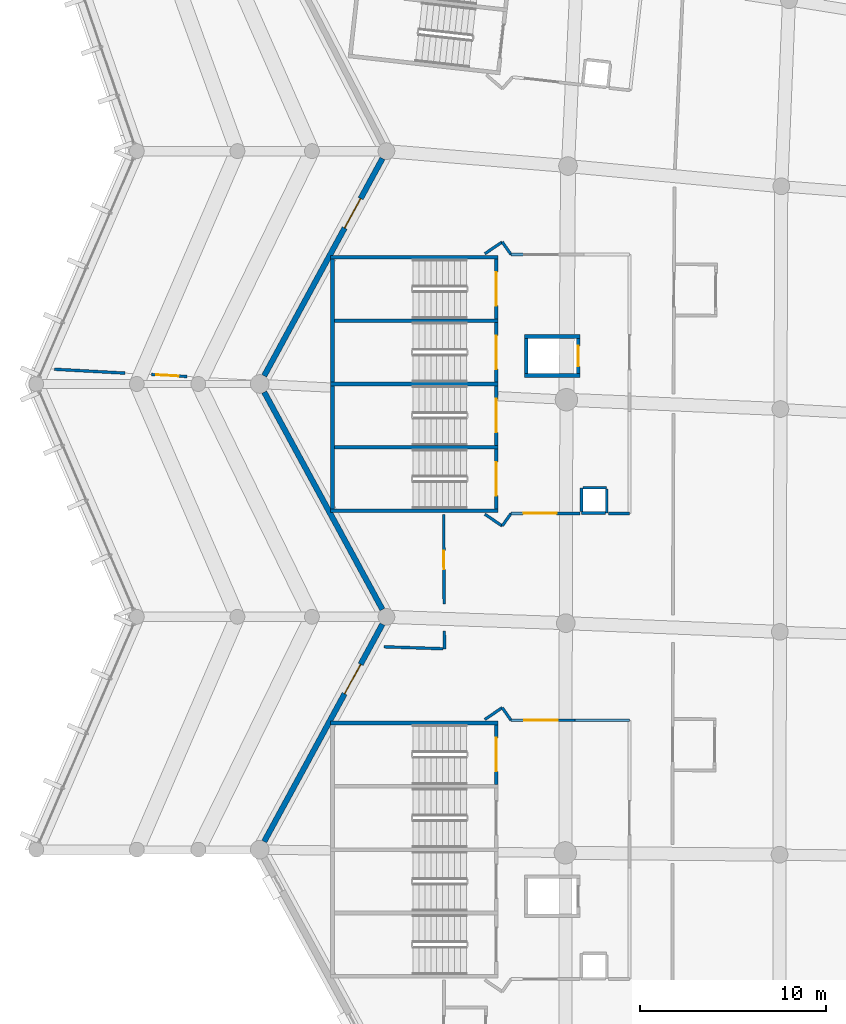
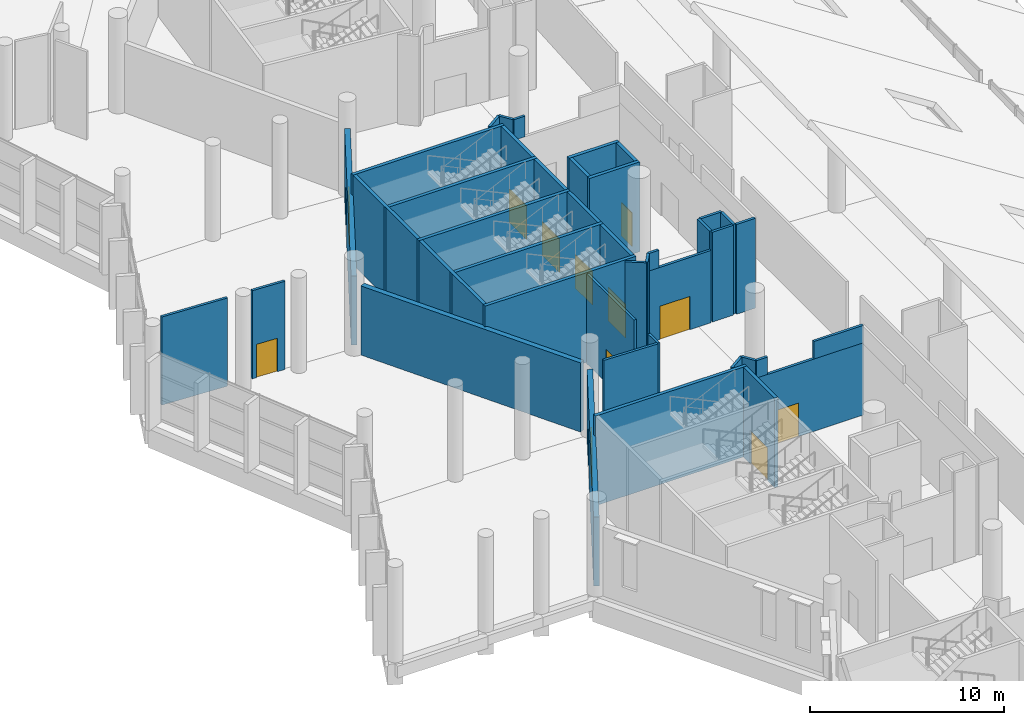
# One storey, part 159 of 249: 42 walls, 12 doors, 12 openings.
"""IFC4 building model written with IfcOpenShell, lengths in metres."""

import ifcopenshell
import ifcopenshell.guid

model = None  # the IFC model being written
_history = None  # IfcOwnerHistory: only IFC2X3 demands one
_inside = {}  # id of a spatial element -> (the spatial element, [elements in it])
_under = {}  # id of a project, library or spatial element -> (it, [spatial elements below it])
_declared = {}  # id of a project -> (the project, [libraries it declares])
_typed = {}  # id of a type object -> (the type object, [elements of that type])
_made_of = {}  # id of a material, layer set ... -> (it, [elements and type objects made of it])


def new_model(schema):
    """Start an empty IFC model of exactly this schema.

    Asked for "IFC4X3", IfcOpenShell would pick the latest addendum, in which some entities
    have other attributes; the version numbers below select the first issue.
    IFC2X3 requires an IfcOwnerHistory on every rooted entity: one is made here for all.
    """
    global model, _history
    if schema == "IFC4X3":
        model = ifcopenshell.file(schema_version=(4, 3, 0, 0))
    else:
        model = ifcopenshell.file(schema=schema)
    _inside.clear()
    _under.clear()
    _declared.clear()
    _typed.clear()
    _made_of.clear()
    _history = None
    if model.schema == "IFC2X3":
        org = make("IfcOrganization", Name="unknown")
        user = make(
            "IfcPersonAndOrganization",
            ThePerson=make("IfcPerson", FamilyName="unknown"),
            TheOrganization=org,
        )
        app = make(
            "IfcApplication",
            ApplicationDeveloper=org,
            Version="unknown",
            ApplicationFullName="unknown",
            ApplicationIdentifier="unknown",
        )
        _history = make(
            "IfcOwnerHistory",
            OwningUser=user,
            OwningApplication=app,
            ChangeAction="ADDED",
            CreationDate=0,
        )
    return model


def make(cls, **values):
    """One entity of the class cls with the attributes given. An attribute that is None is left unset."""
    return model.create_entity(
        cls, **{name: value for name, value in values.items() if value is not None}
    )


def rooted(cls, **values):
    """An entity with a GlobalId (a new one), such as an element, a storey or a relation."""
    return make(cls, GlobalId=ifcopenshell.guid.new(), OwnerHistory=_history, **values)


def si_unit(unit_type, name, prefix=None):
    """IfcSIUnit, for example si_unit("LENGTHUNIT", "METRE", prefix="MILLI")."""
    return make("IfcSIUnit", UnitType=unit_type, Prefix=prefix, Name=name)


def assignment(units):
    """IfcUnitAssignment: the units of a project."""
    return None if units is None else make("IfcUnitAssignment", Units=units)


def point(xyz):
    """IfcCartesianPoint."""
    return None if xyz is None else make("IfcCartesianPoint", Coordinates=xyz)


def direction(xyz):
    """IfcDirection."""
    return None if xyz is None else make("IfcDirection", DirectionRatios=xyz)


def frame(location, z_axis=None, x_axis=None):
    """IfcAxis2Placement3D, a coordinate frame: its origin and axes. An axis left out is left unset."""
    return make(
        "IfcAxis2Placement3D",
        Location=point(location),
        Axis=direction(z_axis),
        RefDirection=direction(x_axis),
    )


def frame_2d(location, x_axis=None):
    """IfcAxis2Placement2D, a coordinate frame in the plane: its origin and x axis."""
    return make(
        "IfcAxis2Placement2D", Location=point(location), RefDirection=direction(x_axis)
    )


def origin():
    """The frame at (0, 0, 0) with its axes left unset."""
    return frame((0.0, 0.0, 0.0))


def place(relative_to, where):
    """IfcLocalPlacement: puts the frame where relative to a parent placement (None: the world)."""
    return make(
        "IfcLocalPlacement", PlacementRelTo=relative_to, RelativePlacement=where
    )


def context(
    kind, dimensions, precision=None, world=None, true_north=None, identifier=None
):
    """IfcGeometricRepresentationContext, for example the 3D "Model" context."""
    return make(
        "IfcGeometricRepresentationContext",
        ContextIdentifier=identifier,
        ContextType=kind,
        CoordinateSpaceDimension=dimensions,
        Precision=precision,
        WorldCoordinateSystem=world,
        TrueNorth=true_north,
    )


def subcontext(parent, identifier, kind, view, scale=None):
    """IfcGeometricRepresentationSubContext, for example "Body" below "Model"."""
    return make(
        "IfcGeometricRepresentationSubContext",
        ContextIdentifier=identifier,
        ContextType=kind,
        ParentContext=parent,
        TargetScale=scale,
        TargetView=view,
    )


def project(units=None, contexts=None):
    """IfcProject with its units and contexts."""
    return rooted(
        "IfcProject",
        Name="project",
        RepresentationContexts=contexts,
        UnitsInContext=assignment(units),
    )


def spatial(cls, under=None, at=None, **own):
    """A site, building, storey or space (cls), placed at a placement, below another one or the project."""
    s = rooted(cls, ObjectPlacement=at, **own)
    if under is not None:
        _under.setdefault(under.id(), (under, []))[1].append(s)
    return s


def profile(cls, at=None, kind="AREA", **sizes):
    """A parametric profile (cls). Its sizes go by their IFC names, for example OverallWidth=200.0."""
    return make(cls, ProfileType=kind, Position=at, **sizes)


def rectangle(**sizes):
    """IfcRectangleProfileDef."""
    return profile("IfcRectangleProfileDef", **sizes)


def extrude(swept, where, along, depth):
    """IfcExtrudedAreaSolid: the profile swept, set in the frame where, extruded along a direction by depth."""
    return make(
        "IfcExtrudedAreaSolid",
        SweptArea=swept,
        Position=where,
        ExtrudedDirection=direction(along),
        Depth=depth,
    )


def shape(context_of_items, identifier, shape_type, items):
    """IfcShapeRepresentation: the items that make up one representation, for example the "Body"."""
    return make(
        "IfcShapeRepresentation",
        ContextOfItems=context_of_items,
        RepresentationIdentifier=identifier,
        RepresentationType=shape_type,
        Items=items,
    )


def material(Name=None, Category=None):
    """IfcMaterial."""
    return make("IfcMaterial", Name=Name, Category=Category)


def layer(
    of_material, thickness, ventilated=None, Name=None, Category=None, Priority=None
):
    """IfcMaterialLayer: one layer of a wall or slab, of a material (None: an air gap)."""
    return make(
        "IfcMaterialLayer",
        Material=of_material,
        LayerThickness=thickness,
        IsVentilated=ventilated,
        Name=Name,
        Category=Category,
        Priority=Priority,
    )


def layer_set(layers, Name=None):
    """IfcMaterialLayerSet."""
    return make("IfcMaterialLayerSet", MaterialLayers=layers, LayerSetName=Name)


def made_of(thing, what):
    """Note that an element or type object is made of a material, layer set ...; save() writes the relation."""
    if what is not None:
        _made_of.setdefault(what.id(), (what, []))[1].append(thing)
    return thing


def type_object(cls, material=None, **own):
    """A type object (cls), such as IfcWallType, which elements share."""
    return made_of(rooted(cls, **own), material)


def element(
    cls,
    number,
    at=None,
    inside=None,
    cuts=None,
    type_object=None,
    material=None,
    context=None,
    identifier="Body",
    shape_type=None,
    held_by="IfcProductDefinitionShape",
    body=None,
    shapes=None,
    **own,
):
    """One element of the class cls, such as IfcWall. Its Tag is "e" and its number.

    at: its placement. inside: the storey or other place that contains it. cuts: it is an
    opening in that element (IfcRelVoidsElement). A single representation is given by context,
    identifier, shape_type and body (its items); several are given by shapes. held_by: the class
    of the entity that holds the representations. save() writes the other relations.
    """
    e = rooted(cls, Tag="e%d" % number, ObjectPlacement=at, **own)
    if body is not None:
        shapes = [shape(context, identifier, shape_type, body)]
    if shapes is not None:
        e.Representation = make(held_by, Representations=shapes)
    if inside is not None:
        _inside.setdefault(inside.id(), (inside, []))[1].append(e)
    if cuts is not None:
        rooted(
            "IfcRelVoidsElement", RelatingBuildingElement=cuts, RelatedOpeningElement=e
        )
    if type_object is not None:
        _typed.setdefault(type_object.id(), (type_object, []))[1].append(e)
    return made_of(e, material)


def fill(opening, filler):
    """IfcRelFillsElement: the door or window that sits in an opening."""
    return rooted(
        "IfcRelFillsElement",
        RelatingOpeningElement=opening,
        RelatedBuildingElement=filler,
    )


def aggregate(whole, parts):
    """IfcRelAggregates: a whole, such as a stair, and the parts it consists of."""
    return rooted("IfcRelAggregates", RelatingObject=whole, RelatedObjects=parts)


def save(model, path):
    """Write the relations noted so far, then the file.

    IfcRelAggregates (storeys below a building ...), IfcRelContainedInSpatialStructure (elements
    in a storey), IfcRelDefinesByType, IfcRelAssociatesMaterial and IfcRelDeclares: one each for
    every whole, place, type object, material and project.
    """
    for whole, parts in _under.values():
        aggregate(whole, parts)
    for where, things in _inside.values():
        rooted(
            "IfcRelContainedInSpatialStructure",
            RelatedElements=things,
            RelatingStructure=where,
        )
    for kind, things in _typed.values():
        rooted("IfcRelDefinesByType", RelatedObjects=things, RelatingType=kind)
    for what, things in _made_of.values():
        rooted("IfcRelAssociatesMaterial", RelatedObjects=things, RelatingMaterial=what)
    for by, libraries in _declared.values():
        rooted("IfcRelDeclares", RelatingContext=by, RelatedDefinitions=libraries)
    model.write(path)


model = new_model("IFC4")

# Units and contexts
model_context = context("Model", 3, precision=1e-05, world=origin(), true_north=direction((0.0, 1.0)))
body_context = subcontext(model_context, "Body", "Model", "MODEL_VIEW")
ifc_project = project(units=[si_unit("LENGTHUNIT", "METRE"), si_unit("AREAUNIT", "SQUARE_METRE"), si_unit("VOLUMEUNIT", "CUBIC_METRE"), si_unit("PLANEANGLEUNIT", "RADIAN"), si_unit("MASSUNIT", "GRAM", prefix="KILO")], contexts=[model_context])

# Site, building, storey
site_placement = place(None, origin())
site = spatial("IfcSite", under=ifc_project, at=site_placement, CompositionType="ELEMENT")
building_placement = place(site_placement, origin())
building = spatial("IfcBuilding", under=site, at=building_placement, Name="Meseta Stadium", CompositionType="ELEMENT")
storey_placement = place(building_placement, frame((0.0, 0.0, 12.0)))
storey = spatial("IfcBuildingStorey", under=building, at=storey_placement, Name="L02", CompositionType="ELEMENT", Elevation=12.0)

# Walls
ifc_material_1 = material(Name="Concrete C40/50", Category="concrete")
ifc_layer_1 = layer(ifc_material_1, 0.199951171875)
ifc_layer_set_1 = layer_set([ifc_layer_1], Name="Core divider wall 200")
wall_type_1 = type_object("IfcWallType", Name="Core divider wall 200", PredefinedType="SHEAR", material=ifc_layer_set_1)
for number, where, z_axis, x_axis, name in (
    (1, (-97.60009765625, 34.64990234375, 0.0), (0.0, 0.0, 1.0), (1.0, 0.0, 0.0), "Core 16 L02 stair A divider wall"),
    (2, (-97.60009765625, 27.85009765625, 0.0), (0.0, 0.0, 1.0), (1.0, 0.0, 0.0), "Core 16 L02 stair B divider wall"),
):
    element("IfcWall", number, at=place(storey_placement, frame(where, z_axis=z_axis, x_axis=x_axis)), inside=storey, type_object=wall_type_1, Name=name, PredefinedType="SHEAR", context=body_context, shape_type="SweptSolid", body=[
        extrude(rectangle(XDim=9.0, YDim=0.199951171875, at=frame_2d((4.5, 0.0))), origin(), (0.0, 0.0, 1.0), 5.64990234375),
    ])
ifc_material_2 = material(Name="Concrete C40/50", Category="concrete")
ifc_layer_2 = layer(ifc_material_2, 0.199951171875)
ifc_layer_set_2 = layer_set([ifc_layer_2], Name="Core shaft wall 200")
wall_type_2 = type_object("IfcWallType", Name="Core shaft wall 200", PredefinedType="SHEAR", material=ifc_layer_set_2)
for number, where, z_axis, x_axis, name in (
    (3, (-97.60009765625, 38.050048828125, 0.0), (0.0, 0.0, 1.0), (1.0, 0.0, 0.0), "Core 16 L02 stair wall A-side"),
    (4, (-97.60009765625, 31.25, 0.0), (0.0, 0.0, 1.0), (1.0, 0.0, 0.0), "Core 16 L02 stair wall shared"),
    (5, (-97.60009765625, 24.449951171875, 0.0), (0.0, 0.0, 1.0), (1.0, 0.0, 0.0), "Core 16 L02 stair wall B-side"),
):
    element("IfcWall", number, at=place(storey_placement, frame(where, z_axis=z_axis, x_axis=x_axis)), inside=storey, type_object=wall_type_2, Name=name, PredefinedType="SHEAR", context=body_context, shape_type="SweptSolid", body=[
        extrude(rectangle(XDim=9.0, YDim=0.199951171875, at=frame_2d((4.5, 0.0))), origin(), (0.0, 0.0, 1.0), 5.64990234375),
    ])
for number, where, z_axis, x_axis, name in (
    (6, (-97.5, 37.949951171875, 0.0), (0.0, 0.0, 1.0), (0.0, -1.0, 0.0), "Core 16 L02 stair A outer end wall"),
    (7, (-97.5, 31.14990234375, 0.0), (0.0, 0.0, 1.0), (0.0, -1.0, 0.0), "Core 16 L02 stair B outer end wall"),
):
    element("IfcWall", number, at=place(storey_placement, frame(where, z_axis=z_axis, x_axis=x_axis)), inside=storey, type_object=wall_type_2, Name=name, PredefinedType="SHEAR", context=body_context, shape_type="SweptSolid", body=[
        extrude(rectangle(XDim=6.599853515625, YDim=0.199951171875, at=frame_2d((3.2998046875, 0.0))), origin(), (0.0, 0.0, 1.0), 5.64990234375),
    ])

# Wall, opening, door
wall_1_placement = place(storey_placement, frame((-88.699951171875, 37.949951171875, 0.0), z_axis=(0.0, 0.0, 1.0), x_axis=(0.0, -1.0, 0.0)))
wall_1 = element("IfcWall", 8, at=wall_1_placement, inside=storey, type_object=wall_type_2, Name="Core 16 L02 stair A1 inner end wall", PredefinedType="SHEAR", context=body_context, shape_type="SweptSolid", body=[
    extrude(rectangle(XDim=3.199951171875, YDim=0.199951171875, at=frame_2d((1.60009765625, 0.0))), origin(), (0.0, 0.0, 1.0), 5.64990234375),
])
opening_1_placement = place(wall_1_placement, frame((0.699951171875, 0.0, 0.0)))
opening_1 = element("IfcOpeningElement", 9, at=opening_1_placement, cuts=wall_1, Name="Opening D1001", PredefinedType="OPENING", context=body_context, shape_type="SweptSolid", body=[
    extrude(rectangle(XDim=1.800048828125, YDim=2.10009765625, at=frame_2d((0.89990234375, 1.050048828125))), frame((0.0, 0.10986328125, 0.0), z_axis=(0.0, -1.0, 0.0), x_axis=(1.0, 0.0, 0.0)), (0.0, 0.0, 1.0), 0.219970703125),
])
ifc_material_3 = material(Name="Steel", Category="steel")
door_type_1 = type_object("IfcDoorType", Name="Stair door 1800x2100", OperationType="DOUBLE_DOOR_SINGLE_SWING", PredefinedType="DOOR", material=ifc_material_3)
door_1_placement = place(opening_1_placement, origin())
door_1 = element("IfcDoor", 10, at=door_1_placement, inside=storey, type_object=door_type_1, Name="Stair A1 door 16 L02", OperationType="DOUBLE_DOOR_SINGLE_SWING", OverallHeight=2.10009765625, OverallWidth=1.800048828125, PredefinedType="DOOR", context=body_context, shape_type="SweptSolid", body=[
    extrude(rectangle(XDim=1.800048828125, YDim=2.10009765625, at=frame_2d((0.89990234375, 1.050048828125))), frame((0.0, 0.02490234375, 0.0), z_axis=(0.0, -1.0, 0.0), x_axis=(1.0, 0.0, 0.0)), (0.0, 0.0, 1.0), 0.050048828125),
])
fill(opening_1, door_1)

wall_2_placement = place(storey_placement, frame((-88.699951171875, 34.550048828125, 0.0), z_axis=(0.0, 0.0, 1.0), x_axis=(0.0, -1.0, 0.0)))
wall_2 = element("IfcWall", 11, at=wall_2_placement, inside=storey, type_object=wall_type_2, Name="Core 16 L02 stair A2 inner end wall", PredefinedType="SHEAR", context=body_context, shape_type="SweptSolid", body=[
    extrude(rectangle(XDim=3.199951171875, YDim=0.199951171875, at=frame_2d((1.60009765625, 0.0))), origin(), (0.0, 0.0, 1.0), 5.64990234375),
])
opening_2_placement = place(wall_2_placement, frame((0.699951171875, 0.0, 0.0)))
opening_2 = element("IfcOpeningElement", 12, at=opening_2_placement, cuts=wall_2, Name="Opening D1000", PredefinedType="OPENING", context=body_context, shape_type="SweptSolid", body=[
    extrude(rectangle(XDim=1.800048828125, YDim=2.10009765625, at=frame_2d((0.89990234375, 1.050048828125))), frame((0.0, 0.10986328125, 0.0), z_axis=(0.0, -1.0, 0.0), x_axis=(1.0, 0.0, 0.0)), (0.0, 0.0, 1.0), 0.219970703125),
])
door_2_placement = place(opening_2_placement, origin())
door_2 = element("IfcDoor", 13, at=door_2_placement, inside=storey, type_object=door_type_1, Name="Stair A2 door 16 L02", OperationType="DOUBLE_DOOR_SINGLE_SWING", OverallHeight=2.10009765625, OverallWidth=1.800048828125, PredefinedType="DOOR", context=body_context, shape_type="SweptSolid", body=[
    extrude(rectangle(XDim=1.800048828125, YDim=2.10009765625, at=frame_2d((0.89990234375, 1.050048828125))), frame((0.0, 0.02490234375, 0.0), z_axis=(0.0, -1.0, 0.0), x_axis=(1.0, 0.0, 0.0)), (0.0, 0.0, 1.0), 0.050048828125),
])
fill(opening_2, door_2)

wall_3_placement = place(storey_placement, frame((-88.699951171875, 31.14990234375, 0.0), z_axis=(0.0, 0.0, 1.0), x_axis=(0.0, -1.0, 0.0)))
wall_3 = element("IfcWall", 14, at=wall_3_placement, inside=storey, type_object=wall_type_2, Name="Core 16 L02 stair B1 inner end wall", PredefinedType="SHEAR", context=body_context, shape_type="SweptSolid", body=[
    extrude(rectangle(XDim=3.199951171875, YDim=0.199951171875, at=frame_2d((1.60009765625, 0.0))), origin(), (0.0, 0.0, 1.0), 5.64990234375),
])
opening_3_placement = place(wall_3_placement, frame((0.699951171875, 0.0, 0.0)))
opening_3 = element("IfcOpeningElement", 15, at=opening_3_placement, cuts=wall_3, Name="Opening D223", PredefinedType="OPENING", context=body_context, shape_type="SweptSolid", body=[
    extrude(rectangle(XDim=1.800048828125, YDim=2.10009765625, at=frame_2d((0.89990234375, 1.050048828125))), frame((0.0, 0.10986328125, 0.0), z_axis=(0.0, -1.0, 0.0), x_axis=(1.0, 0.0, 0.0)), (0.0, 0.0, 1.0), 0.219970703125),
])
door_3_placement = place(opening_3_placement, origin())
door_3 = element("IfcDoor", 16, at=door_3_placement, inside=storey, type_object=door_type_1, Name="Stair B1 door 16 L02", OperationType="DOUBLE_DOOR_SINGLE_SWING", OverallHeight=2.10009765625, OverallWidth=1.800048828125, PredefinedType="DOOR", context=body_context, shape_type="SweptSolid", body=[
    extrude(rectangle(XDim=1.800048828125, YDim=2.10009765625, at=frame_2d((0.89990234375, 1.050048828125))), frame((0.0, 0.02490234375, 0.0), z_axis=(0.0, -1.0, 0.0), x_axis=(1.0, 0.0, 0.0)), (0.0, 0.0, 1.0), 0.050048828125),
])
fill(opening_3, door_3)

wall_4_placement = place(storey_placement, frame((-88.699951171875, 27.75, 0.0), z_axis=(0.0, 0.0, 1.0), x_axis=(0.0, -1.0, 0.0)))
wall_4 = element("IfcWall", 17, at=wall_4_placement, inside=storey, type_object=wall_type_2, Name="Core 16 L02 stair B2 inner end wall", PredefinedType="SHEAR", context=body_context, shape_type="SweptSolid", body=[
    extrude(rectangle(XDim=3.199951171875, YDim=0.199951171875, at=frame_2d((1.60009765625, 0.0))), origin(), (0.0, 0.0, 1.0), 5.64990234375),
])
opening_4_placement = place(wall_4_placement, frame((0.699951171875, 0.0, 0.0)))
opening_4 = element("IfcOpeningElement", 18, at=opening_4_placement, cuts=wall_4, Name="Opening D224", PredefinedType="OPENING", context=body_context, shape_type="SweptSolid", body=[
    extrude(rectangle(XDim=1.800048828125, YDim=2.10009765625, at=frame_2d((0.89990234375, 1.050048828125))), frame((0.0, 0.10986328125, 0.0), z_axis=(0.0, -1.0, 0.0), x_axis=(1.0, 0.0, 0.0)), (0.0, 0.0, 1.0), 0.219970703125),
])
door_4_placement = place(opening_4_placement, origin())
door_4 = element("IfcDoor", 19, at=door_4_placement, inside=storey, type_object=door_type_1, Name="Stair B2 door 16 L02", OperationType="DOUBLE_DOOR_SINGLE_SWING", OverallHeight=2.10009765625, OverallWidth=1.800048828125, PredefinedType="DOOR", context=body_context, shape_type="SweptSolid", body=[
    extrude(rectangle(XDim=1.800048828125, YDim=2.10009765625, at=frame_2d((0.89990234375, 1.050048828125))), frame((0.0, 0.02490234375, 0.0), z_axis=(0.0, -1.0, 0.0), x_axis=(1.0, 0.0, 0.0)), (0.0, 0.0, 1.0), 0.050048828125),
])
fill(opening_4, door_4)

# Walls
for number, where, z_axis, x_axis, name in (
    (20, (-87.199951171875, 33.800048828125, 0.0), (0.0, 0.0, 1.0), (1.0, 0.0, 0.0), "Core 16 L02 lift shaft wall left"),
    (21, (-87.199951171875, 31.699951171875, 0.0), (0.0, 0.0, 1.0), (1.0, 0.0, 0.0), "Core 16 L02 lift shaft wall right"),
):
    element("IfcWall", number, at=place(storey_placement, frame(where, z_axis=z_axis, x_axis=x_axis)), inside=storey, type_object=wall_type_2, Name=name, PredefinedType="SHEAR", context=body_context, shape_type="SweptSolid", body=[
        extrude(rectangle(XDim=3.0, YDim=0.199951171875, at=frame_2d((1.5, 0.0))), origin(), (0.0, 0.0, 1.0), 5.64990234375),
    ])
wall_5_placement = place(storey_placement, frame((-87.10009765625, 33.699951171875, 0.0), z_axis=(0.0, 0.0, 1.0), x_axis=(0.0, -1.0, 0.0)))
element("IfcWall", 22, at=wall_5_placement, inside=storey, type_object=wall_type_2, Name="Core 16 L02 lift shaft back wall", PredefinedType="SHEAR", context=body_context, shape_type="SweptSolid", body=[
    extrude(rectangle(XDim=1.89990234375, YDim=0.199951171875, at=frame_2d((0.949951171875, 0.0))), origin(), (0.0, 0.0, 1.0), 5.64990234375),
])

# Wall, opening, door
wall_6_placement = place(storey_placement, frame((-84.300048828125, 33.699951171875, 0.0), z_axis=(0.0, 0.0, 1.0), x_axis=(0.0, -1.0, 0.0)))
wall_6 = element("IfcWall", 23, at=wall_6_placement, inside=storey, type_object=wall_type_2, Name="Core 16 L02 lift shaft front wall", PredefinedType="SHEAR", context=body_context, shape_type="SweptSolid", body=[
    extrude(rectangle(XDim=1.89990234375, YDim=0.199951171875, at=frame_2d((0.949951171875, 0.0))), origin(), (0.0, 0.0, 1.0), 5.64990234375),
])
opening_5_placement = place(wall_6_placement, frame((0.39990234375, 0.0, 0.0)))
opening_5 = element("IfcOpeningElement", 24, at=opening_5_placement, cuts=wall_6, Name="Opening LD88", PredefinedType="OPENING", context=body_context, shape_type="SweptSolid", body=[
    extrude(rectangle(XDim=1.10009765625, YDim=2.10009765625, at=frame_2d((0.550048828125, 1.050048828125))), frame((0.0, 0.10986328125, 0.0), z_axis=(0.0, -1.0, 0.0), x_axis=(1.0, 0.0, 0.0)), (0.0, 0.0, 1.0), 0.219970703125),
])
ifc_material_4 = material(Name="Steel", Category="steel")
door_type_2 = type_object("IfcDoorType", Name="Lift landing door 1100x2100", OperationType="SLIDING_TO_LEFT", PredefinedType="DOOR", material=ifc_material_4)
door_5_placement = place(opening_5_placement, origin())
door_5 = element("IfcDoor", 25, at=door_5_placement, inside=storey, type_object=door_type_2, Name="Lift landing door LD88", OperationType="SLIDING_TO_RIGHT", OverallHeight=2.10009765625, OverallWidth=1.10009765625, PredefinedType="DOOR", context=body_context, shape_type="SweptSolid", body=[
    extrude(rectangle(XDim=1.10009765625, YDim=2.10009765625, at=frame_2d((0.550048828125, 1.050048828125))), frame((0.0, 0.02490234375, 0.0), z_axis=(0.0, -1.0, 0.0), x_axis=(1.0, 0.0, 0.0)), (0.0, 0.0, 1.0), 0.050048828125),
])
fill(opening_5, door_5)

# Wall
wall_7_placement = place(storey_placement, frame((-97.60009765625, 13.050048828125, 0.0), z_axis=(0.0, 0.0, 1.0), x_axis=(1.0, 0.0, 0.0)))
element("IfcWall", 26, at=wall_7_placement, inside=storey, type_object=wall_type_2, Name="Core 17 L02 stair wall A-side", PredefinedType="SHEAR", context=body_context, shape_type="SweptSolid", body=[
    extrude(rectangle(XDim=9.0, YDim=0.199951171875, at=frame_2d((4.5, 0.0))), origin(), (0.0, 0.0, 1.0), 5.64990234375),
])

# Wall, opening, door
wall_8_placement = place(storey_placement, frame((-88.699951171875, 12.949951171875, 0.0), z_axis=(0.0, 0.0, 1.0), x_axis=(0.0, -1.0, 0.0)))
wall_8 = element("IfcWall", 27, at=wall_8_placement, inside=storey, type_object=wall_type_2, Name="Core 17 L02 stair A1 inner end wall", PredefinedType="SHEAR", context=body_context, shape_type="SweptSolid", body=[
    extrude(rectangle(XDim=3.199951171875, YDim=0.199951171875, at=frame_2d((1.60009765625, 0.0))), origin(), (0.0, 0.0, 1.0), 5.64990234375),
])
opening_6_placement = place(wall_8_placement, frame((0.699951171875, 0.0, 0.0)))
opening_6 = element("IfcOpeningElement", 28, at=opening_6_placement, cuts=wall_8, Name="Opening D237", PredefinedType="OPENING", context=body_context, shape_type="SweptSolid", body=[
    extrude(rectangle(XDim=1.800048828125, YDim=2.10009765625, at=frame_2d((0.89990234375, 1.050048828125))), frame((0.0, 0.10986328125, 0.0), z_axis=(0.0, -1.0, 0.0), x_axis=(1.0, 0.0, 0.0)), (0.0, 0.0, 1.0), 0.219970703125),
])
door_6_placement = place(opening_6_placement, origin())
door_6 = element("IfcDoor", 29, at=door_6_placement, inside=storey, type_object=door_type_1, Name="Stair A1 door 17 L02", OperationType="DOUBLE_DOOR_SINGLE_SWING", OverallHeight=2.10009765625, OverallWidth=1.800048828125, PredefinedType="DOOR", context=body_context, shape_type="SweptSolid", body=[
    extrude(rectangle(XDim=1.800048828125, YDim=2.10009765625, at=frame_2d((0.89990234375, 1.050048828125))), frame((0.0, 0.02490234375, 0.0), z_axis=(0.0, -1.0, 0.0), x_axis=(1.0, 0.0, 0.0)), (0.0, 0.0, 1.0), 0.050048828125),
])
fill(opening_6, door_6)

ifc_material_5 = material(Name="Masonry blockwork", Category="masonry")
ifc_layer_3 = layer(ifc_material_5, 0.14990234375)
ifc_layer_set_3 = layer_set([ifc_layer_3], Name="Partition 150")
wall_type_3 = type_object("IfcWallType", Name="Partition 150", PredefinedType="PARTITIONING", material=ifc_layer_set_3)
wall_9_placement = place(storey_placement, frame((-91.528564453125, 24.25, 0.0), z_axis=(0.0, 0.0, 1.0), x_axis=(0.00568461021, -0.999983842473, 0.0)))
wall_9 = element("IfcWall", 30, at=wall_9_placement, inside=storey, type_object=wall_type_3, Name="Partition L02 L02-cell15-2-0w", PredefinedType="PARTITIONING", context=body_context, shape_type="SweptSolid", body=[
    extrude(rectangle(XDim=4.81005859375, YDim=0.14990234375, at=frame_2d((2.405029296875, 0.0))), origin(), (0.0, 0.0, 1.0), 5.64990234375),
])
opening_7_placement = place(wall_9_placement, frame((1.949951171875, 0.0, 0.0)))
opening_7 = element("IfcOpeningElement", 31, at=opening_7_placement, cuts=wall_9, Name="Opening D706", PredefinedType="OPENING", context=body_context, shape_type="SweptSolid", body=[
    extrude(rectangle(XDim=1.0, YDim=2.10009765625, at=frame_2d((0.5, 1.050048828125))), frame((0.0, 0.0849609375, 0.0), z_axis=(0.0, -1.0, 0.0), x_axis=(1.0, 0.0, 0.0)), (0.0, 0.0, 1.0), 0.169921875),
])
ifc_material_6 = material(Name="Timber", Category="wood")
door_type_3 = type_object("IfcDoorType", Name="Room door 1000x2100", OperationType="NOTDEFINED", PredefinedType="DOOR", material=ifc_material_6)
door_7_placement = place(opening_7_placement, origin())
door_7 = element("IfcDoor", 32, at=door_7_placement, inside=storey, type_object=door_type_3, Name="Door D706", OperationType="SINGLE_SWING_LEFT", OverallHeight=2.10009765625, OverallWidth=1.0, PredefinedType="DOOR", context=body_context, shape_type="SweptSolid", body=[
    extrude(rectangle(XDim=1.0, YDim=2.10009765625, at=frame_2d((0.5, 1.050048828125))), frame((0.0, 0.02490234375, 0.0), z_axis=(0.0, -1.0, 0.0), x_axis=(1.0, 0.0, 0.0)), (0.0, 0.0, 1.0), 0.050048828125),
])
fill(opening_7, door_7)

# Walls
wall_10_placement = place(storey_placement, frame((-91.492919921875, 17.9970703125, 0.0), z_axis=(0.0, 0.0, 1.0), x_axis=(0.00558225253, -0.999984419107, 0.0)))
element("IfcWall", 33, at=wall_10_placement, inside=storey, type_object=wall_type_3, Name="Partition L02 L02-cell15-2-0w", PredefinedType="PARTITIONING", context=body_context, shape_type="SweptSolid", body=[
    extrude(rectangle(XDim=0.962158203125, YDim=0.14990234375, at=frame_2d((0.48095703125, 0.0))), origin(), (0.0, 0.0, 1.0), 5.64990234375),
])
wall_11_placement = place(storey_placement, frame((-91.5625, 17.037353515625, 0.0), z_axis=(0.0, 0.0, 1.0), x_axis=(-0.999458119876, 0.032916054045, 0.0)))
element("IfcWall", 34, at=wall_11_placement, inside=storey, type_object=wall_type_3, Name="Partition L02 L02-cell15-2-0w", PredefinedType="PARTITIONING", context=body_context, shape_type="SweptSolid", body=[
    extrude(rectangle(XDim=3.15966796875, YDim=0.14990234375, at=frame_2d((1.579833984375, 0.0))), origin(), (0.0, 0.0, 1.0), 5.64990234375),
])

# Wall, opening, door
wall_12_placement = place(storey_placement, frame((-105.313232421875, 31.65087890625, 0.0), z_axis=(0.0, 0.0, 1.0), x_axis=(-0.998501960067, 0.054715955105, 0.0)))
wall_12 = element("IfcWall", 35, at=wall_12_placement, inside=storey, type_object=wall_type_3, Name="Partition L02 L02-ring14-0", PredefinedType="PARTITIONING", context=body_context, shape_type="SweptSolid", body=[
    extrude(rectangle(XDim=1.90087890625, YDim=0.14990234375, at=frame_2d((0.950439453125, 0.0))), origin(), (0.0, 0.0, 1.0), 5.550048828125),
])
opening_8_placement = place(wall_12_placement, frame((0.449951171875, 0.0, 0.0)))
opening_8 = element("IfcOpeningElement", 36, at=opening_8_placement, cuts=wall_12, Name="Opening D711", PredefinedType="OPENING", context=body_context, shape_type="SweptSolid", body=[
    extrude(rectangle(XDim=1.199951171875, YDim=2.10009765625, at=frame_2d((0.60009765625, 1.050048828125))), frame((0.0, 0.0849609375, 0.0), z_axis=(0.0, -1.0, 0.0), x_axis=(1.0, 0.0, 0.0)), (0.0, 0.0, 1.0), 0.169921875),
])
ifc_material_7 = material(Name="Steel", Category="steel")
door_type_4 = type_object("IfcDoorType", Name="Fire door 1200x2100 EI2 60", OperationType="NOTDEFINED", PredefinedType="DOOR", material=ifc_material_7)
door_8_placement = place(opening_8_placement, origin())
door_8 = element("IfcDoor", 37, at=door_8_placement, inside=storey, type_object=door_type_4, Name="Door D711", OperationType="SINGLE_SWING_RIGHT", OverallHeight=2.10009765625, OverallWidth=1.199951171875, PredefinedType="DOOR", context=body_context, shape_type="SweptSolid", body=[
    extrude(rectangle(XDim=1.199951171875, YDim=2.10009765625, at=frame_2d((0.60009765625, 1.050048828125))), frame((0.0, 0.02490234375, 0.0), z_axis=(0.0, -1.0, 0.0), x_axis=(1.0, 0.0, 0.0)), (0.0, 0.0, 1.0), 0.050048828125),
])
fill(opening_8, door_8)

# Walls
wall_13_placement = place(storey_placement, frame((-108.634521484375, 31.8330078125, 0.0), z_axis=(0.0, 0.0, 1.0), x_axis=(-0.998501767782, 0.054719463958, 0.0)))
element("IfcWall", 38, at=wall_13_placement, inside=storey, type_object=wall_type_3, Name="Partition L02 L02-ring14-0", PredefinedType="PARTITIONING", context=body_context, shape_type="SweptSolid", body=[
    extrude(rectangle(XDim=3.80126953125, YDim=0.14990234375, at=frame_2d((1.900634765625, 0.0))), origin(), (0.0, 0.0, 1.0), 5.550048828125),
])
wall_14_placement = place(storey_placement, frame((-84.125, 25.675048828125, 0.0), z_axis=(0.0, 0.0, 1.0), x_axis=(0.0, -1.0, 0.0)))
element("IfcWall", 39, at=wall_14_placement, inside=storey, type_object=wall_type_3, Name="Pressurisation shaft wall L02 core 16", PredefinedType="PARTITIONING", context=body_context, shape_type="SweptSolid", body=[
    extrude(rectangle(XDim=1.275146484375, YDim=0.14990234375, at=frame_2d((0.6376953125, 0.0))), origin(), (0.0, 0.0, 1.0), 5.64990234375),
])
wall_15_placement = place(storey_placement, frame((-84.125, 24.324951171875, 0.0), z_axis=(0.0, 0.0, 1.0), x_axis=(1.0, 0.0, 0.0)))
element("IfcWall", 40, at=wall_15_placement, inside=storey, type_object=wall_type_3, Name="Pressurisation shaft wall L02 core 16", PredefinedType="PARTITIONING", context=body_context, shape_type="SweptSolid", body=[
    extrude(rectangle(XDim=1.27490234375, YDim=0.14990234375, at=frame_2d((0.637451171875, 0.0))), origin(), (0.0, 0.0, 1.0), 5.64990234375),
])
for number, where, z_axis, x_axis, name in (
    (41, (-82.77490234375, 24.324951171875, 0.0), (0.0, 0.0, 1.0), (0.0, 1.0, 0.0), "Pressurisation shaft wall L02 core 16"),
    (42, (-82.77490234375, 25.675048828125, 0.0), (0.0, 0.0, 1.0), (-1.0, 0.0, 0.0), "Pressurisation shaft wall L02 core 16"),
):
    element("IfcWall", number, at=place(storey_placement, frame(where, z_axis=z_axis, x_axis=x_axis)), inside=storey, type_object=wall_type_3, Name=name, PredefinedType="PARTITIONING", context=body_context, shape_type="SweptSolid", body=[
        extrude(rectangle(XDim=1.275146484375, YDim=0.14990234375, at=frame_2d((0.6376953125, 0.0))), origin(), (0.0, 0.0, 1.0), 5.64990234375),
    ])
wall_16_placement = place(storey_placement, frame((-89.319580078125, 24.260498046875, 0.0), z_axis=(0.0, 0.0, 1.0), x_axis=(0.827055308354, -0.562120553728, 0.0)))
element("IfcWall", 43, at=wall_16_placement, inside=storey, type_object=wall_type_3, Name="Stair vestibule wall L02 core 16", PredefinedType="PARTITIONING", context=body_context, shape_type="SweptSolid", body=[
    extrude(rectangle(XDim=1.1279296875, YDim=0.14990234375, at=frame_2d((0.56396484375, 0.0))), origin(), (0.0, 0.0, 1.0), 5.64990234375),
])
wall_17_placement = place(storey_placement, frame((-88.38671875, 23.62646484375, 0.0), z_axis=(0.0, 0.0, 1.0), x_axis=(0.575376756214, 0.817888493872, 0.0)))
element("IfcWall", 44, at=wall_17_placement, inside=storey, type_object=wall_type_3, Name="Stair vestibule wall L02 core 16", PredefinedType="PARTITIONING", context=body_context, shape_type="SweptSolid", body=[
    extrude(rectangle(XDim=0.82958984375, YDim=0.14990234375, at=frame_2d((0.414794921875, 0.0))), origin(), (0.0, 0.0, 1.0), 5.64990234375),
])

# Wall, opening, door
wall_18_placement = place(storey_placement, frame((-87.909423828125, 24.304931640625, 0.0), z_axis=(0.0, 0.0, 1.0), x_axis=(1.0, 0.0, 0.0)))
wall_18 = element("IfcWall", 45, at=wall_18_placement, inside=storey, type_object=wall_type_3, Name="Stair vestibule wall L02 core 16", PredefinedType="PARTITIONING", context=body_context, shape_type="SweptSolid", body=[
    extrude(rectangle(XDim=3.70361328125, YDim=0.14990234375, at=frame_2d((1.851806640625, 0.0))), origin(), (0.0, 0.0, 1.0), 4.550048828125),
])
opening_9_placement = place(wall_18_placement, frame((0.64990234375, 0.0, 0.0)))
opening_9 = element("IfcOpeningElement", 46, at=opening_9_placement, cuts=wall_18, Name="Opening D1013", PredefinedType="OPENING", context=body_context, shape_type="SweptSolid", body=[
    extrude(rectangle(XDim=1.800048828125, YDim=2.10009765625, at=frame_2d((0.89990234375, 1.050048828125))), frame((0.0, 0.0849609375, 0.0), z_axis=(0.0, -1.0, 0.0), x_axis=(1.0, 0.0, 0.0)), (0.0, 0.0, 1.0), 0.169921875),
])
ifc_material_8 = material(Name="Steel", Category="steel")
door_type_5 = type_object("IfcDoorType", Name="Fire double door 1800x2100 EI2 60", OperationType="DOUBLE_DOOR_SINGLE_SWING", PredefinedType="DOOR", material=ifc_material_8)
door_9_placement = place(opening_9_placement, origin())
door_9 = element("IfcDoor", 47, at=door_9_placement, inside=storey, type_object=door_type_5, Name="Stair vestibule door L02 core 16", OperationType="DOUBLE_DOOR_SINGLE_SWING", OverallHeight=2.10009765625, OverallWidth=1.800048828125, PredefinedType="DOOR", context=body_context, shape_type="SweptSolid", body=[
    extrude(rectangle(XDim=1.800048828125, YDim=2.10009765625, at=frame_2d((0.89990234375, 1.050048828125))), frame((0.0, 0.02490234375, 0.0), z_axis=(0.0, -1.0, 0.0), x_axis=(1.0, 0.0, 0.0)), (0.0, 0.0, 1.0), 0.050048828125),
])
fill(opening_9, door_9)

# Walls
wall_19_placement = place(storey_placement, frame((-87.909423828125, 24.304931640625, 4.550048828125), z_axis=(0.0, 0.0, 1.0), x_axis=(1.0, 0.0, 0.0)))
element("IfcWall", 48, at=wall_19_placement, inside=storey, type_object=wall_type_3, Name="Stair vestibule wall L02 core 16", PredefinedType="PARTITIONING", context=body_context, shape_type="SweptSolid", body=[
    extrude(rectangle(XDim=0.599853515625, YDim=0.14990234375, at=frame_2d((0.2998046875, 0.0))), origin(), (0.0, 0.0, 1.0), 1.099853515625),
])
wall_20_placement = place(storey_placement, frame((-82.68994140625, 24.304931640625, 0.0), z_axis=(0.0, 0.0, 1.0), x_axis=(1.0, 0.0, 0.0)))
element("IfcWall", 49, at=wall_20_placement, inside=storey, type_object=wall_type_3, Name="Stair vestibule wall L02 core 16", PredefinedType="PARTITIONING", context=body_context, shape_type="SweptSolid", body=[
    extrude(rectangle(XDim=1.135009765625, YDim=0.14990234375, at=frame_2d((0.5673828125, 0.0))), origin(), (0.0, 0.0, 1.0), 5.64990234375),
])
wall_21_placement = place(storey_placement, frame((-87.2548828125, 38.195068359375, 4.35009765625), z_axis=(0.0, 0.0, 1.0), x_axis=(-1.0, 0.0, 0.0)))
element("IfcWall", 50, at=wall_21_placement, inside=storey, type_object=wall_type_3, Name="Stair vestibule wall L02 core 16", PredefinedType="PARTITIONING", context=body_context, shape_type="SweptSolid", body=[
    extrude(rectangle(XDim=0.654296875, YDim=0.14990234375, at=frame_2d((0.3271484375, 0.0))), origin(), (0.0, 0.0, 1.0), 1.2998046875),
])
wall_22_placement = place(storey_placement, frame((-87.9091796875, 38.195068359375, 0.0), z_axis=(0.0, 0.0, 1.0), x_axis=(-0.575573582652, 0.81774999294, 0.0)))
element("IfcWall", 51, at=wall_22_placement, inside=storey, type_object=wall_type_3, Name="Stair vestibule wall L02 core 16", PredefinedType="PARTITIONING", context=body_context, shape_type="SweptSolid", body=[
    extrude(rectangle(XDim=0.82958984375, YDim=0.14990234375, at=frame_2d((0.414794921875, 0.0))), origin(), (0.0, 0.0, 1.0), 5.64990234375),
])
wall_23_placement = place(storey_placement, frame((-88.38671875, 38.87353515625, 0.0), z_axis=(0.0, 0.0, 1.0), x_axis=(-0.827055308354, -0.562120553728, 0.0)))
element("IfcWall", 52, at=wall_23_placement, inside=storey, type_object=wall_type_3, Name="Stair vestibule wall L02 core 16", PredefinedType="PARTITIONING", context=body_context, shape_type="SweptSolid", body=[
    extrude(rectangle(XDim=1.1279296875, YDim=0.14990234375, at=frame_2d((0.56396484375, 0.0))), origin(), (0.0, 0.0, 1.0), 5.64990234375),
])

# Wall, opening, door
wall_24_placement = place(storey_placement, frame((-81.554931640625, 13.195068359375, 0.0), z_axis=(0.0, 0.0, 1.0), x_axis=(-1.0, 0.0, 0.0)))
wall_24 = element("IfcWall", 53, at=wall_24_placement, inside=storey, type_object=wall_type_3, Name="Stair vestibule wall L02 core 17", PredefinedType="PARTITIONING", context=body_context, shape_type="SweptSolid", body=[
    extrude(rectangle(XDim=6.354248046875, YDim=0.14990234375, at=frame_2d((3.17724609375, 0.0))), origin(), (0.0, 0.0, 1.0), 4.550048828125),
])
opening_10_placement = place(wall_24_placement, frame((3.85009765625, 0.0, 0.0)))
opening_10 = element("IfcOpeningElement", 54, at=opening_10_placement, cuts=wall_24, Name="Opening D1015", PredefinedType="OPENING", context=body_context, shape_type="SweptSolid", body=[
    extrude(rectangle(XDim=1.800048828125, YDim=2.10009765625, at=frame_2d((0.89990234375, 1.050048828125))), frame((0.0, 0.0849609375, 0.0), z_axis=(0.0, -1.0, 0.0), x_axis=(1.0, 0.0, 0.0)), (0.0, 0.0, 1.0), 0.169921875),
])
door_10_placement = place(opening_10_placement, origin())
door_10 = element("IfcDoor", 55, at=door_10_placement, inside=storey, type_object=door_type_5, Name="Stair vestibule door L02 core 17", OperationType="DOUBLE_DOOR_SINGLE_SWING", OverallHeight=2.10009765625, OverallWidth=1.800048828125, PredefinedType="DOOR", context=body_context, shape_type="SweptSolid", body=[
    extrude(rectangle(XDim=1.800048828125, YDim=2.10009765625, at=frame_2d((0.89990234375, 1.050048828125))), frame((0.0, 0.02490234375, 0.0), z_axis=(0.0, -1.0, 0.0), x_axis=(1.0, 0.0, 0.0)), (0.0, 0.0, 1.0), 0.050048828125),
])
fill(opening_10, door_10)

# Walls
wall_25_placement = place(storey_placement, frame((-81.554931640625, 13.195068359375, 4.550048828125), z_axis=(0.0, 0.0, 1.0), x_axis=(-1.0, 0.0, 0.0)))
element("IfcWall", 56, at=wall_25_placement, inside=storey, type_object=wall_type_3, Name="Stair vestibule wall L02 core 17", PredefinedType="PARTITIONING", context=body_context, shape_type="SweptSolid", body=[
    extrude(rectangle(XDim=2.932861328125, YDim=0.14990234375, at=frame_2d((1.46630859375, 0.0))), origin(), (0.0, 0.0, 1.0), 1.099853515625),
])
wall_26_placement = place(storey_placement, frame((-87.2548828125, 13.195068359375, 4.550048828125), z_axis=(0.0, 0.0, 1.0), x_axis=(-1.0, 0.0, 0.0)))
element("IfcWall", 57, at=wall_26_placement, inside=storey, type_object=wall_type_3, Name="Stair vestibule wall L02 core 17", PredefinedType="PARTITIONING", context=body_context, shape_type="SweptSolid", body=[
    extrude(rectangle(XDim=0.654296875, YDim=0.14990234375, at=frame_2d((0.3271484375, 0.0))), origin(), (0.0, 0.0, 1.0), 1.099853515625),
])
wall_27_placement = place(storey_placement, frame((-87.9091796875, 13.195068359375, 0.0), z_axis=(0.0, 0.0, 1.0), x_axis=(-0.575573582652, 0.81774999294, 0.0)))
element("IfcWall", 58, at=wall_27_placement, inside=storey, type_object=wall_type_3, Name="Stair vestibule wall L02 core 17", PredefinedType="PARTITIONING", context=body_context, shape_type="SweptSolid", body=[
    extrude(rectangle(XDim=0.82958984375, YDim=0.14990234375, at=frame_2d((0.414794921875, 0.0))), origin(), (0.0, 0.0, 1.0), 5.64990234375),
])
wall_28_placement = place(storey_placement, frame((-88.38671875, 13.87353515625, 0.0), z_axis=(0.0, 0.0, 1.0), x_axis=(-0.827055308354, -0.562120553728, 0.0)))
element("IfcWall", 59, at=wall_28_placement, inside=storey, type_object=wall_type_3, Name="Stair vestibule wall L02 core 17", PredefinedType="PARTITIONING", context=body_context, shape_type="SweptSolid", body=[
    extrude(rectangle(XDim=1.1279296875, YDim=0.14990234375, at=frame_2d((0.56396484375, 0.0))), origin(), (0.0, 0.0, 1.0), 5.64990234375),
])

# Wall, opening, door
ifc_material_9 = material(Name="White precast concrete C40/50", Category="concrete")
ifc_layer_4 = layer(ifc_material_9, 0.300048828125)
ifc_layer_set_4 = layer_set([ifc_layer_4], Name="Pleated panel wall 300 concourse")
wall_type_4 = type_object("IfcWallType", Name="Pleated panel wall 300 concourse", PredefinedType="SOLIDWALL", material=ifc_layer_set_4)
wall_29_placement = place(storey_placement, frame((-101.1611328125, 31.68896484375, 0.0), z_axis=(0.0, 0.0, 1.0), x_axis=(0.477867771117, 0.878431780691, 0.0)))
wall_29 = element("IfcWall", 60, at=wall_29_placement, inside=storey, type_object=wall_type_4, Name="Pleated facade panel L02 F29", PredefinedType="SOLIDWALL", context=body_context, shape_type="SweptSolid", body=[
    extrude(rectangle(XDim=13.2802734375, YDim=0.300048828125, at=frame_2d((6.64013671875, 0.0))), origin(), (0.0, 0.0, 1.0), 4.35009765625),
])
opening_11_placement = place(wall_29_placement, frame((9.030029296875, 0.0, 0.0)))
opening_11 = element("IfcOpeningElement", 61, at=opening_11_placement, cuts=wall_29, Name="Opening D997", PredefinedType="OPENING", context=body_context, shape_type="SweptSolid", body=[
    extrude(rectangle(XDim=1.800048828125, YDim=2.39990234375, at=frame_2d((0.89990234375, 1.199951171875))), frame((0.0, 0.159912109375, 0.0), z_axis=(0.0, -1.0, 0.0), x_axis=(1.0, 0.0, 0.0)), (0.0, 0.0, 1.0), 0.320068359375),
])
ifc_material_10 = material(Name="Steel", Category="steel")
door_type_6 = type_object("IfcDoorType", Name="Concourse double door 1800x2400", OperationType="DOUBLE_DOOR_SINGLE_SWING", PredefinedType="DOOR", material=ifc_material_10)
door_11_placement = place(opening_11_placement, origin())
door_11 = element("IfcDoor", 62, at=door_11_placement, inside=storey, type_object=door_type_6, Name="Concourse door", OperationType="DOUBLE_DOOR_SINGLE_SWING", OverallHeight=2.39990234375, OverallWidth=1.800048828125, PredefinedType="DOOR", context=body_context, shape_type="SweptSolid", body=[
    extrude(rectangle(XDim=1.800048828125, YDim=2.39990234375, at=frame_2d((0.89990234375, 1.199951171875))), frame((0.0, 0.02490234375, 0.0), z_axis=(0.0, -1.0, 0.0), x_axis=(1.0, 0.0, 0.0)), (0.0, 0.0, 1.0), 0.050048828125),
])
fill(opening_11, door_11)

# Wall
wall_30_placement = place(storey_placement, frame((-94.81494140625, 19.145263671875, 0.0), z_axis=(0.0, 0.0, 1.0), x_axis=(-0.477867771117, 0.878431780691, 0.0)))
element("IfcWall", 63, at=wall_30_placement, inside=storey, type_object=wall_type_4, Name="Pleated facade panel L02 F30", PredefinedType="SOLIDWALL", context=body_context, shape_type="SweptSolid", body=[
    extrude(rectangle(XDim=13.2802734375, YDim=0.300048828125, at=frame_2d((6.64013671875, 0.0))), origin(), (0.0, 0.0, 1.0), 4.35009765625),
])

# Wall, opening, door
wall_31_placement = place(storey_placement, frame((-101.1611328125, 6.68896484375, 0.0), z_axis=(0.0, 0.0, 1.0), x_axis=(0.477867771117, 0.878431780691, 0.0)))
wall_31 = element("IfcWall", 64, at=wall_31_placement, inside=storey, type_object=wall_type_4, Name="Pleated facade panel L02 F31", PredefinedType="SOLIDWALL", context=body_context, shape_type="SweptSolid", body=[
    extrude(rectangle(XDim=13.2802734375, YDim=0.300048828125, at=frame_2d((6.64013671875, 0.0))), origin(), (0.0, 0.0, 1.0), 4.35009765625),
])
opening_12_placement = place(wall_31_placement, frame((9.030029296875, 0.0, 0.0)))
opening_12 = element("IfcOpeningElement", 65, at=opening_12_placement, cuts=wall_31, Name="Opening D998", PredefinedType="OPENING", context=body_context, shape_type="SweptSolid", body=[
    extrude(rectangle(XDim=1.800048828125, YDim=2.39990234375, at=frame_2d((0.89990234375, 1.199951171875))), frame((0.0, 0.159912109375, 0.0), z_axis=(0.0, -1.0, 0.0), x_axis=(1.0, 0.0, 0.0)), (0.0, 0.0, 1.0), 0.320068359375),
])
door_12_placement = place(opening_12_placement, origin())
door_12 = element("IfcDoor", 66, at=door_12_placement, inside=storey, type_object=door_type_6, Name="Concourse door", OperationType="DOUBLE_DOOR_SINGLE_SWING", OverallHeight=2.39990234375, OverallWidth=1.800048828125, PredefinedType="DOOR", context=body_context, shape_type="SweptSolid", body=[
    extrude(rectangle(XDim=1.800048828125, YDim=2.39990234375, at=frame_2d((0.89990234375, 1.199951171875))), frame((0.0, 0.02490234375, 0.0), z_axis=(0.0, -1.0, 0.0), x_axis=(1.0, 0.0, 0.0)), (0.0, 0.0, 1.0), 0.050048828125),
])
fill(opening_12, door_12)

save(model, "model.ifc")
